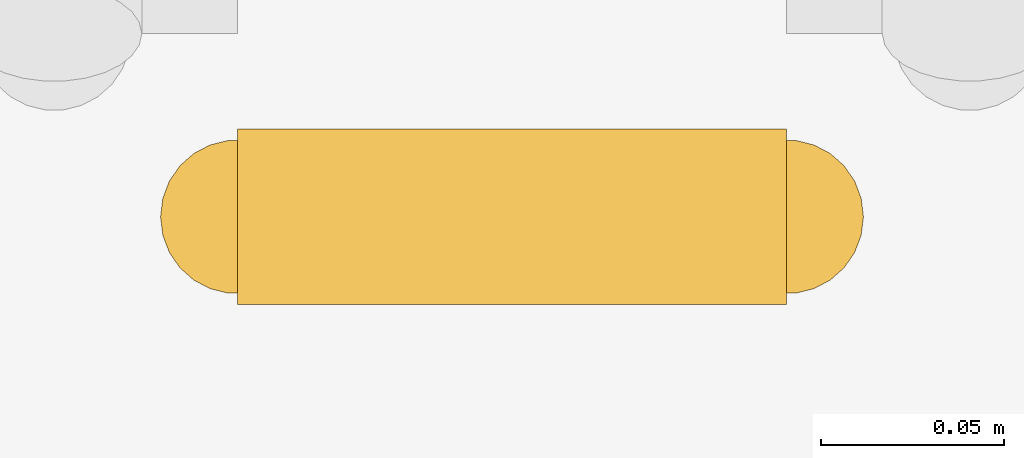
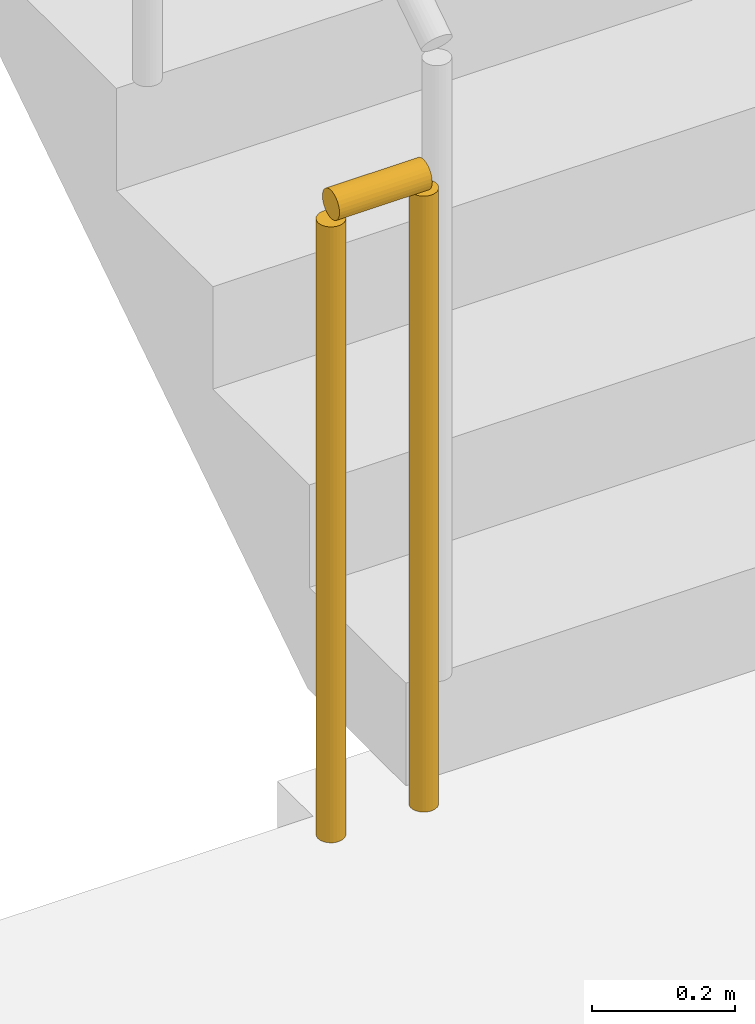
# One storey, part 16 of 19: 1 railing.
"""IFC4 building model written with IfcOpenShell, lengths in metres."""

import ifcopenshell
import ifcopenshell.guid

model = None  # the IFC model being written
_history = None  # IfcOwnerHistory: only IFC2X3 demands one
_inside = {}  # id of a spatial element -> (the spatial element, [elements in it])
_under = {}  # id of a project, library or spatial element -> (it, [spatial elements below it])
_declared = {}  # id of a project -> (the project, [libraries it declares])
_typed = {}  # id of a type object -> (the type object, [elements of that type])
_made_of = {}  # id of a material, layer set ... -> (it, [elements and type objects made of it])


def new_model(schema):
    """Start an empty IFC model of exactly this schema.

    Asked for "IFC4X3", IfcOpenShell would pick the latest addendum, in which some entities
    have other attributes; the version numbers below select the first issue.
    IFC2X3 requires an IfcOwnerHistory on every rooted entity: one is made here for all.
    """
    global model, _history
    if schema == "IFC4X3":
        model = ifcopenshell.file(schema_version=(4, 3, 0, 0))
    else:
        model = ifcopenshell.file(schema=schema)
    _inside.clear()
    _under.clear()
    _declared.clear()
    _typed.clear()
    _made_of.clear()
    _history = None
    if model.schema == "IFC2X3":
        org = make("IfcOrganization", Name="unknown")
        user = make(
            "IfcPersonAndOrganization",
            ThePerson=make("IfcPerson", FamilyName="unknown"),
            TheOrganization=org,
        )
        app = make(
            "IfcApplication",
            ApplicationDeveloper=org,
            Version="unknown",
            ApplicationFullName="unknown",
            ApplicationIdentifier="unknown",
        )
        _history = make(
            "IfcOwnerHistory",
            OwningUser=user,
            OwningApplication=app,
            ChangeAction="ADDED",
            CreationDate=0,
        )
    return model


def make(cls, **values):
    """One entity of the class cls with the attributes given. An attribute that is None is left unset."""
    return model.create_entity(
        cls, **{name: value for name, value in values.items() if value is not None}
    )


def rooted(cls, **values):
    """An entity with a GlobalId (a new one), such as an element, a storey or a relation."""
    return make(cls, GlobalId=ifcopenshell.guid.new(), OwnerHistory=_history, **values)


def si_unit(unit_type, name, prefix=None):
    """IfcSIUnit, for example si_unit("LENGTHUNIT", "METRE", prefix="MILLI")."""
    return make("IfcSIUnit", UnitType=unit_type, Prefix=prefix, Name=name)


def assignment(units):
    """IfcUnitAssignment: the units of a project."""
    return None if units is None else make("IfcUnitAssignment", Units=units)


def point(xyz):
    """IfcCartesianPoint."""
    return None if xyz is None else make("IfcCartesianPoint", Coordinates=xyz)


def direction(xyz):
    """IfcDirection."""
    return None if xyz is None else make("IfcDirection", DirectionRatios=xyz)


def frame(location, z_axis=None, x_axis=None):
    """IfcAxis2Placement3D, a coordinate frame: its origin and axes. An axis left out is left unset."""
    return make(
        "IfcAxis2Placement3D",
        Location=point(location),
        Axis=direction(z_axis),
        RefDirection=direction(x_axis),
    )


def frame_2d(location, x_axis=None):
    """IfcAxis2Placement2D, a coordinate frame in the plane: its origin and x axis."""
    return make(
        "IfcAxis2Placement2D", Location=point(location), RefDirection=direction(x_axis)
    )


def origin():
    """The frame at (0, 0, 0) with its axes left unset."""
    return frame((0.0, 0.0, 0.0))


def origin_2d():
    """The frame at (0, 0) in the plane with its x axis left unset."""
    return frame_2d((0.0, 0.0))


def place(relative_to, where):
    """IfcLocalPlacement: puts the frame where relative to a parent placement (None: the world)."""
    return make(
        "IfcLocalPlacement", PlacementRelTo=relative_to, RelativePlacement=where
    )


def context(
    kind, dimensions, precision=None, world=None, true_north=None, identifier=None
):
    """IfcGeometricRepresentationContext, for example the 3D "Model" context."""
    return make(
        "IfcGeometricRepresentationContext",
        ContextIdentifier=identifier,
        ContextType=kind,
        CoordinateSpaceDimension=dimensions,
        Precision=precision,
        WorldCoordinateSystem=world,
        TrueNorth=true_north,
    )


def subcontext(parent, identifier, kind, view, scale=None):
    """IfcGeometricRepresentationSubContext, for example "Body" below "Model"."""
    return make(
        "IfcGeometricRepresentationSubContext",
        ContextIdentifier=identifier,
        ContextType=kind,
        ParentContext=parent,
        TargetScale=scale,
        TargetView=view,
    )


def project(units=None, contexts=None):
    """IfcProject with its units and contexts."""
    return rooted(
        "IfcProject",
        Name="project",
        RepresentationContexts=contexts,
        UnitsInContext=assignment(units),
    )


def spatial(cls, under=None, at=None, **own):
    """A site, building, storey or space (cls), placed at a placement, below another one or the project."""
    s = rooted(cls, ObjectPlacement=at, **own)
    if under is not None:
        _under.setdefault(under.id(), (under, []))[1].append(s)
    return s


def profile(cls, at=None, kind="AREA", **sizes):
    """A parametric profile (cls). Its sizes go by their IFC names, for example OverallWidth=200.0."""
    return make(cls, ProfileType=kind, Position=at, **sizes)


def circle(**sizes):
    """IfcCircleProfileDef."""
    return profile("IfcCircleProfileDef", **sizes)


def extrude(swept, where, along, depth):
    """IfcExtrudedAreaSolid: the profile swept, set in the frame where, extruded along a direction by depth."""
    return make(
        "IfcExtrudedAreaSolid",
        SweptArea=swept,
        Position=where,
        ExtrudedDirection=direction(along),
        Depth=depth,
    )


def shape(context_of_items, identifier, shape_type, items):
    """IfcShapeRepresentation: the items that make up one representation, for example the "Body"."""
    return make(
        "IfcShapeRepresentation",
        ContextOfItems=context_of_items,
        RepresentationIdentifier=identifier,
        RepresentationType=shape_type,
        Items=items,
    )


def material(Name=None, Category=None):
    """IfcMaterial."""
    return make("IfcMaterial", Name=Name, Category=Category)


def made_of(thing, what):
    """Note that an element or type object is made of a material, layer set ...; save() writes the relation."""
    if what is not None:
        _made_of.setdefault(what.id(), (what, []))[1].append(thing)
    return thing


def type_object(cls, material=None, **own):
    """A type object (cls), such as IfcWallType, which elements share."""
    return made_of(rooted(cls, **own), material)


def element(
    cls,
    number,
    at=None,
    inside=None,
    cuts=None,
    type_object=None,
    material=None,
    context=None,
    identifier="Body",
    shape_type=None,
    held_by="IfcProductDefinitionShape",
    body=None,
    shapes=None,
    **own,
):
    """One element of the class cls, such as IfcWall. Its Tag is "e" and its number.

    at: its placement. inside: the storey or other place that contains it. cuts: it is an
    opening in that element (IfcRelVoidsElement). A single representation is given by context,
    identifier, shape_type and body (its items); several are given by shapes. held_by: the class
    of the entity that holds the representations. save() writes the other relations.
    """
    e = rooted(cls, Tag="e%d" % number, ObjectPlacement=at, **own)
    if body is not None:
        shapes = [shape(context, identifier, shape_type, body)]
    if shapes is not None:
        e.Representation = make(held_by, Representations=shapes)
    if inside is not None:
        _inside.setdefault(inside.id(), (inside, []))[1].append(e)
    if cuts is not None:
        rooted(
            "IfcRelVoidsElement", RelatingBuildingElement=cuts, RelatedOpeningElement=e
        )
    if type_object is not None:
        _typed.setdefault(type_object.id(), (type_object, []))[1].append(e)
    return made_of(e, material)


def aggregate(whole, parts):
    """IfcRelAggregates: a whole, such as a stair, and the parts it consists of."""
    return rooted("IfcRelAggregates", RelatingObject=whole, RelatedObjects=parts)


def save(model, path):
    """Write the relations noted so far, then the file.

    IfcRelAggregates (storeys below a building ...), IfcRelContainedInSpatialStructure (elements
    in a storey), IfcRelDefinesByType, IfcRelAssociatesMaterial and IfcRelDeclares: one each for
    every whole, place, type object, material and project.
    """
    for whole, parts in _under.values():
        aggregate(whole, parts)
    for where, things in _inside.values():
        rooted(
            "IfcRelContainedInSpatialStructure",
            RelatedElements=things,
            RelatingStructure=where,
        )
    for kind, things in _typed.values():
        rooted("IfcRelDefinesByType", RelatedObjects=things, RelatingType=kind)
    for what, things in _made_of.values():
        rooted("IfcRelAssociatesMaterial", RelatedObjects=things, RelatingMaterial=what)
    for by, libraries in _declared.values():
        rooted("IfcRelDeclares", RelatingContext=by, RelatedDefinitions=libraries)
    model.write(path)


model = new_model("IFC4")

# Units and contexts
model_context = context("Model", 3, precision=1e-05, world=origin(), true_north=direction((0.0, 1.0)))
body_context = subcontext(model_context, "Body", "Model", "MODEL_VIEW")
ifc_project = project(units=[si_unit("LENGTHUNIT", "METRE"), si_unit("AREAUNIT", "SQUARE_METRE"), si_unit("VOLUMEUNIT", "CUBIC_METRE"), si_unit("PLANEANGLEUNIT", "RADIAN"), si_unit("MASSUNIT", "GRAM", prefix="KILO")], contexts=[model_context])

# Site, building, storey
site_placement = place(None, origin())
site = spatial("IfcSite", under=ifc_project, at=site_placement, CompositionType="ELEMENT")
building_placement = place(site_placement, origin())
building = spatial("IfcBuilding", under=site, at=building_placement, Name="Saffron Iwan Residences", CompositionType="ELEMENT")
storey_placement = place(building_placement, frame((0.0, 0.0, 134.0)))
storey = spatial("IfcBuildingStorey", under=building, at=storey_placement, Name="L35", CompositionType="ELEMENT", Elevation=134.0)

# Railing
ifc_material = material(Name="Steel S355", Category="steel")
railing_type = type_object("IfcRailingType", Name="Stair guard 1100", PredefinedType="GUARDRAIL", material=ifc_material)
railing_placement = place(storey_placement, frame((69.699951171875, 67.800048828125, 0.0)))
element("IfcRailing", 1, at=railing_placement, inside=storey, type_object=railing_type, Name="L35 ST-E stair guard 2", PredefinedType="GUARDRAIL", context=body_context, shape_type="SweptSolid", body=[
    extrude(circle(Radius=0.02392578125, at=origin_2d()), frame((0.0, 0.0, 1.076171875), z_axis=(-1.0, 0.0, 0.0), x_axis=(0.0, -1.0, 0.0)), (0.0, 0.0, 1.0), 0.14990234375),
    extrude(circle(Radius=0.02099609375, at=origin_2d()), origin(), (0.0, 0.0, 1.0), 1.052001953125),
    extrude(circle(Radius=0.02099609375, at=origin_2d()), frame((-0.14990234375, 0.0, 0.0)), (0.0, 0.0, 1.0), 1.052001953125),
])

save(model, "model.ifc")
